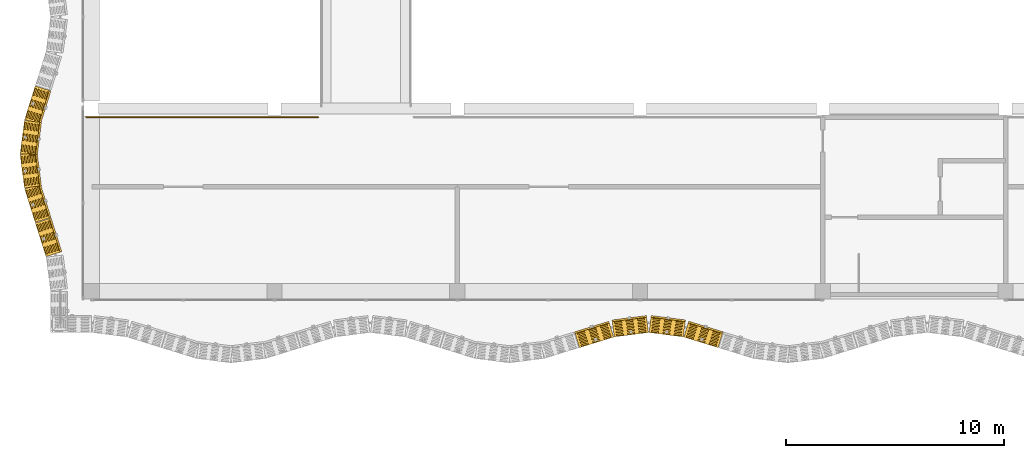
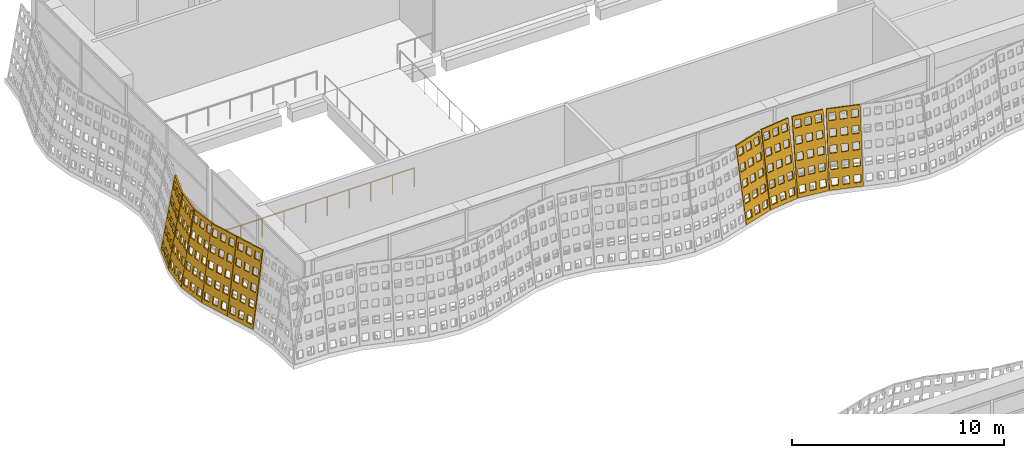
# One storey, part 131 of 162: 9 coverings, 1 railing.
"""IFC4 building model written with IfcOpenShell, lengths in metres."""

from ifc_helpers import new_model, si_unit, direction, frame, origin, origin_2d, place, context, subcontext, project, spatial, polyline, circle, outline, extrude, material, layer, layer_set, type_object, element, save


model = new_model("IFC4")

# Units and contexts
model_context = context("Model", 3, precision=1e-05, world=origin(), true_north=direction((0.0, 1.0)))
body_context = subcontext(model_context, "Body", "Model", "MODEL_VIEW")
ifc_project = project(units=[si_unit("LENGTHUNIT", "METRE"), si_unit("AREAUNIT", "SQUARE_METRE"), si_unit("VOLUMEUNIT", "CUBIC_METRE"), si_unit("PLANEANGLEUNIT", "RADIAN"), si_unit("MASSUNIT", "GRAM", prefix="KILO")], contexts=[model_context])

# Site, building, storey
site_placement = place(None, origin())
site = spatial("IfcSite", under=ifc_project, at=site_placement, CompositionType="ELEMENT")
building_placement = place(site_placement, origin())
building = spatial("IfcBuilding", under=site, at=building_placement, Name="Rain Tree Exposition and Congress Centre", CompositionType="ELEMENT")
storey_placement = place(building_placement, frame((0.0, 0.0, 6.0)))
storey = spatial("IfcBuildingStorey", under=building, at=storey_placement, Name="L01", CompositionType="ELEMENT", Elevation=6.0)

# Railing
ifc_material_1 = material(Name="Aluminium and glass balustrade", Category="aluminium")
railing_type = type_object("IfcRailingType", Name="Concourse guard 1100", PredefinedType="GUARDRAIL", material=ifc_material_1)
railing_placement = place(storey_placement, frame((-0.25, 83.60009765625, 0.0)))
element("IfcRailing", 1, at=railing_placement, inside=storey, type_object=railing_type, Name="Concourse promenade guard 1", PredefinedType="GUARDRAIL", context=body_context, shape_type="SweptSolid", body=[
    extrude(circle(Radius=0.02392578125, at=origin_2d()), frame((0.0, 0.0, 1.076171875), z_axis=(1.0, 0.0, 0.0), x_axis=(0.0, 1.0, 0.0)), (0.0, 0.0, 1.0), 10.64990234375),
    extrude(circle(Radius=0.02099609375, at=origin_2d()), origin(), (0.0, 0.0, 1.0), 1.052001953125),
    extrude(circle(Radius=0.02099609375, at=origin_2d()), frame((1.183349609375, 0.0, 0.0)), (0.0, 0.0, 1.0), 1.052001953125),
    extrude(circle(Radius=0.02099609375, at=origin_2d()), frame((2.36669921875, 0.0, 0.0)), (0.0, 0.0, 1.0), 1.052001953125),
    extrude(circle(Radius=0.02099609375, at=origin_2d()), frame((3.550048828125, 0.0, 0.0)), (0.0, 0.0, 1.0), 1.052001953125),
    extrude(circle(Radius=0.02099609375, at=origin_2d()), frame((4.7333984375, 0.0, 0.0)), (0.0, 0.0, 1.0), 1.052001953125),
    extrude(circle(Radius=0.02099609375, at=origin_2d()), frame((5.91650390625, 0.0, 0.0)), (0.0, 0.0, 1.0), 1.052001953125),
    extrude(circle(Radius=0.02099609375, at=origin_2d()), frame((7.099853515625, 0.0, 0.0)), (0.0, 0.0, 1.0), 1.052001953125),
    extrude(circle(Radius=0.02099609375, at=origin_2d()), frame((8.283203125, 0.0, 0.0)), (0.0, 0.0, 1.0), 1.052001953125),
    extrude(circle(Radius=0.02099609375, at=origin_2d()), frame((9.466552734375, 0.0, 0.0)), (0.0, 0.0, 1.0), 1.052001953125),
    extrude(circle(Radius=0.02099609375, at=origin_2d()), frame((10.64990234375, 0.0, 0.0)), (0.0, 0.0, 1.0), 1.052001953125),
])

# Coverings
ifc_material_2 = material(Name="Perforated terracotta", Category="masonry")
ifc_layer = layer(ifc_material_2, 0.080078125)
ifc_layer_set = layer_set([ifc_layer], Name="Perforated terracotta")
covering_type = type_object("IfcCoveringType", Name="Terracotta screen 80", PredefinedType="CLADDING", material=ifc_layer_set)
covering_1_placement = place(storey_placement, frame((22.3994140625, 73.001708984375, 0.0126953125), z_axis=(-0.290138898064, 0.943714942124, -0.158812870519), x_axis=(-0.955845867297, -0.293868470528, 0.0)))
element("IfcCovering", 2, at=covering_1_placement, inside=storey, type_object=covering_type, Name="concourse/screen/L01/015", PredefinedType="CLADDING", context=body_context, shape_type="SweptSolid", body=[
    extrude(outline(polyline([(-1.659912109375, 0.0), (-1.659912109375, 4.29150390625), (-0.014892578125, 4.29150390625), (-0.014892578125, 0.0), (-1.659912109375, 0.0)]), holes=[polyline([(-0.119140625, 0.221435546875), (-0.119140625, 0.63671875), (-0.458984375, 0.63671875), (-0.458984375, 0.221435546875), (-0.119140625, 0.221435546875)]), polyline([(-0.119140625, 1.079833984375), (-0.119140625, 1.4951171875), (-0.458984375, 1.4951171875), (-0.458984375, 1.079833984375), (-0.119140625, 1.079833984375)]), polyline([(-0.119140625, 1.93798828125), (-0.119140625, 2.353271484375), (-0.458984375, 2.353271484375), (-0.458984375, 1.93798828125), (-0.119140625, 1.93798828125)]), polyline([(-0.119140625, 2.79638671875), (-0.119140625, 3.211669921875), (-0.458984375, 3.211669921875), (-0.458984375, 2.79638671875), (-0.119140625, 2.79638671875)]), polyline([(-0.119140625, 3.654541015625), (-0.119140625, 4.06982421875), (-0.458984375, 4.06982421875), (-0.458984375, 3.654541015625), (-0.119140625, 3.654541015625)]), polyline([(-0.66748046875, 0.221435546875), (-0.66748046875, 0.63671875), (-1.00732421875, 0.63671875), (-1.00732421875, 0.221435546875), (-0.66748046875, 0.221435546875)]), polyline([(-0.66748046875, 1.079833984375), (-0.66748046875, 1.4951171875), (-1.00732421875, 1.4951171875), (-1.00732421875, 1.079833984375), (-0.66748046875, 1.079833984375)]), polyline([(-0.66748046875, 1.93798828125), (-0.66748046875, 2.353271484375), (-1.00732421875, 2.353271484375), (-1.00732421875, 1.93798828125), (-0.66748046875, 1.93798828125)]), polyline([(-0.66748046875, 2.79638671875), (-0.66748046875, 3.211669921875), (-1.00732421875, 3.211669921875), (-1.00732421875, 2.79638671875), (-0.66748046875, 2.79638671875)]), polyline([(-0.66748046875, 3.654541015625), (-0.66748046875, 4.06982421875), (-1.00732421875, 4.06982421875), (-1.00732421875, 3.654541015625), (-0.66748046875, 3.654541015625)]), polyline([(-1.2158203125, 0.221435546875), (-1.2158203125, 0.63671875), (-1.5556640625, 0.63671875), (-1.5556640625, 0.221435546875), (-1.2158203125, 0.221435546875)]), polyline([(-1.2158203125, 1.079833984375), (-1.2158203125, 1.4951171875), (-1.5556640625, 1.4951171875), (-1.5556640625, 1.079833984375), (-1.2158203125, 1.079833984375)]), polyline([(-1.2158203125, 1.93798828125), (-1.2158203125, 2.353271484375), (-1.5556640625, 2.353271484375), (-1.5556640625, 1.93798828125), (-1.2158203125, 1.93798828125)]), polyline([(-1.2158203125, 2.79638671875), (-1.2158203125, 3.211669921875), (-1.5556640625, 3.211669921875), (-1.5556640625, 2.79638671875), (-1.2158203125, 2.79638671875)]), polyline([(-1.2158203125, 3.654541015625), (-1.2158203125, 4.06982421875), (-1.5556640625, 4.06982421875), (-1.5556640625, 3.654541015625), (-1.2158203125, 3.654541015625)])]), origin(), (0.0, 0.0, 1.0), 0.079833984375),
])
covering_2_placement = place(storey_placement, frame((23.999755859375, 73.496826171875, 0.01318359375), z_axis=(-0.124968640969, 0.978413018317, -0.164592844203), x_axis=(-0.991941518713, -0.126696580272, 0.0)))
element("IfcCovering", 3, at=covering_2_placement, inside=storey, type_object=covering_type, Name="concourse/screen/L01/016", PredefinedType="CLADDING", context=body_context, shape_type="SweptSolid", body=[
    extrude(outline(polyline([(-1.59814453125, 0.0), (-1.59814453125, 4.295166015625), (-0.014892578125, 4.295166015625), (-0.014892578125, 0.0), (-1.59814453125, 0.0)]), holes=[polyline([(-0.115234375, 0.2216796875), (-0.115234375, 0.63720703125), (-0.4423828125, 0.63720703125), (-0.4423828125, 0.2216796875), (-0.115234375, 0.2216796875)]), polyline([(-0.115234375, 1.080810546875), (-0.115234375, 1.496337890625), (-0.4423828125, 1.496337890625), (-0.4423828125, 1.080810546875), (-0.115234375, 1.080810546875)]), polyline([(-0.115234375, 1.939697265625), (-0.115234375, 2.35546875), (-0.4423828125, 2.35546875), (-0.4423828125, 1.939697265625), (-0.115234375, 1.939697265625)]), polyline([(-0.115234375, 2.798583984375), (-0.115234375, 3.21435546875), (-0.4423828125, 3.21435546875), (-0.4423828125, 2.798583984375), (-0.115234375, 2.798583984375)]), polyline([(-0.115234375, 3.65771484375), (-0.115234375, 4.073486328125), (-0.4423828125, 4.073486328125), (-0.4423828125, 3.65771484375), (-0.115234375, 3.65771484375)]), polyline([(-0.64306640625, 0.2216796875), (-0.64306640625, 0.63720703125), (-0.97021484375, 0.63720703125), (-0.97021484375, 0.2216796875), (-0.64306640625, 0.2216796875)]), polyline([(-0.64306640625, 1.080810546875), (-0.64306640625, 1.496337890625), (-0.97021484375, 1.496337890625), (-0.97021484375, 1.080810546875), (-0.64306640625, 1.080810546875)]), polyline([(-0.64306640625, 1.939697265625), (-0.64306640625, 2.35546875), (-0.97021484375, 2.35546875), (-0.97021484375, 1.939697265625), (-0.64306640625, 1.939697265625)]), polyline([(-0.64306640625, 2.798583984375), (-0.64306640625, 3.21435546875), (-0.97021484375, 3.21435546875), (-0.97021484375, 2.798583984375), (-0.64306640625, 2.798583984375)]), polyline([(-0.64306640625, 3.65771484375), (-0.64306640625, 4.073486328125), (-0.97021484375, 4.073486328125), (-0.97021484375, 3.65771484375), (-0.64306640625, 3.65771484375)]), polyline([(-1.170654296875, 0.2216796875), (-1.170654296875, 0.63720703125), (-1.497802734375, 0.63720703125), (-1.497802734375, 0.2216796875), (-1.170654296875, 0.2216796875)]), polyline([(-1.170654296875, 1.080810546875), (-1.170654296875, 1.496337890625), (-1.497802734375, 1.496337890625), (-1.497802734375, 1.080810546875), (-1.170654296875, 1.080810546875)]), polyline([(-1.170654296875, 1.939697265625), (-1.170654296875, 2.35546875), (-1.497802734375, 2.35546875), (-1.497802734375, 1.939697265625), (-1.170654296875, 1.939697265625)]), polyline([(-1.170654296875, 2.798583984375), (-1.170654296875, 3.21435546875), (-1.497802734375, 3.21435546875), (-1.497802734375, 2.798583984375), (-1.170654296875, 2.798583984375)]), polyline([(-1.170654296875, 3.65771484375), (-1.170654296875, 4.073486328125), (-1.497802734375, 4.073486328125), (-1.497802734375, 3.65771484375), (-1.170654296875, 3.65771484375)])]), origin(), (0.0, 0.0, 1.0), 0.080078125),
])
covering_3_placement = place(storey_placement, frame((25.600341796875, 73.701904296875, 0.01318359375), z_axis=(0.125342414455, 0.978282259159, -0.165085131233), x_axis=(-0.991891686382, 0.127086122318, 0.0)))
element("IfcCovering", 4, at=covering_3_placement, inside=storey, type_object=covering_type, Name="concourse/screen/L01/017", PredefinedType="CLADDING", context=body_context, shape_type="SweptSolid", body=[
    extrude(outline(polyline([(-1.59814453125, 0.0), (-1.59814453125, 4.295166015625), (-0.014892578125, 4.295166015625), (-0.014892578125, 0.0), (-1.59814453125, 0.0)]), holes=[polyline([(-0.115234375, 0.2216796875), (-0.115234375, 0.63720703125), (-0.4423828125, 0.63720703125), (-0.4423828125, 0.2216796875), (-0.115234375, 0.2216796875)]), polyline([(-0.115234375, 1.080810546875), (-0.115234375, 1.496337890625), (-0.4423828125, 1.496337890625), (-0.4423828125, 1.080810546875), (-0.115234375, 1.080810546875)]), polyline([(-0.115234375, 1.939697265625), (-0.115234375, 2.35546875), (-0.4423828125, 2.35546875), (-0.4423828125, 1.939697265625), (-0.115234375, 1.939697265625)]), polyline([(-0.115234375, 2.798583984375), (-0.115234375, 3.21435546875), (-0.4423828125, 3.21435546875), (-0.4423828125, 2.798583984375), (-0.115234375, 2.798583984375)]), polyline([(-0.115234375, 3.65771484375), (-0.115234375, 4.073486328125), (-0.4423828125, 4.073486328125), (-0.4423828125, 3.65771484375), (-0.115234375, 3.65771484375)]), polyline([(-0.64306640625, 0.2216796875), (-0.64306640625, 0.63720703125), (-0.97021484375, 0.63720703125), (-0.97021484375, 0.2216796875), (-0.64306640625, 0.2216796875)]), polyline([(-0.64306640625, 1.080810546875), (-0.64306640625, 1.496337890625), (-0.97021484375, 1.496337890625), (-0.97021484375, 1.080810546875), (-0.64306640625, 1.080810546875)]), polyline([(-0.64306640625, 1.939697265625), (-0.64306640625, 2.35546875), (-0.97021484375, 2.35546875), (-0.97021484375, 1.939697265625), (-0.64306640625, 1.939697265625)]), polyline([(-0.64306640625, 2.798583984375), (-0.64306640625, 3.21435546875), (-0.97021484375, 3.21435546875), (-0.97021484375, 2.798583984375), (-0.64306640625, 2.798583984375)]), polyline([(-0.64306640625, 3.65771484375), (-0.64306640625, 4.073486328125), (-0.97021484375, 4.073486328125), (-0.97021484375, 3.65771484375), (-0.64306640625, 3.65771484375)]), polyline([(-1.170654296875, 0.2216796875), (-1.170654296875, 0.63720703125), (-1.497802734375, 0.63720703125), (-1.497802734375, 0.2216796875), (-1.170654296875, 0.2216796875)]), polyline([(-1.170654296875, 1.080810546875), (-1.170654296875, 1.496337890625), (-1.497802734375, 1.496337890625), (-1.497802734375, 1.080810546875), (-1.170654296875, 1.080810546875)]), polyline([(-1.170654296875, 1.939697265625), (-1.170654296875, 2.35546875), (-1.497802734375, 2.35546875), (-1.497802734375, 1.939697265625), (-1.170654296875, 1.939697265625)]), polyline([(-1.170654296875, 2.798583984375), (-1.170654296875, 3.21435546875), (-1.497802734375, 3.21435546875), (-1.497802734375, 2.798583984375), (-1.170654296875, 2.798583984375)]), polyline([(-1.170654296875, 3.65771484375), (-1.170654296875, 4.073486328125), (-1.497802734375, 4.073486328125), (-1.497802734375, 3.65771484375), (-1.170654296875, 3.65771484375)])]), origin(), (0.0, 0.0, 1.0), 0.079833984375),
])
covering_4_placement = place(storey_placement, frame((27.20068359375, 73.49658203125, 0.0126953125), z_axis=(0.290138898064, 0.943714942124, -0.158812870519), x_axis=(-0.955845867297, 0.293868470528, 0.0)))
element("IfcCovering", 5, at=covering_4_placement, inside=storey, type_object=covering_type, Name="concourse/screen/L01/018", PredefinedType="CLADDING", context=body_context, shape_type="SweptSolid", body=[
    extrude(outline(polyline([(-1.659912109375, 0.0), (-1.659912109375, 4.29150390625), (-0.014892578125, 4.29150390625), (-0.014892578125, 0.0), (-1.659912109375, 0.0)]), holes=[polyline([(-0.119140625, 0.221435546875), (-0.119140625, 0.63671875), (-0.458984375, 0.63671875), (-0.458984375, 0.221435546875), (-0.119140625, 0.221435546875)]), polyline([(-0.119140625, 1.079833984375), (-0.119140625, 1.4951171875), (-0.458984375, 1.4951171875), (-0.458984375, 1.079833984375), (-0.119140625, 1.079833984375)]), polyline([(-0.119140625, 1.93798828125), (-0.119140625, 2.353271484375), (-0.458984375, 2.353271484375), (-0.458984375, 1.93798828125), (-0.119140625, 1.93798828125)]), polyline([(-0.119140625, 2.79638671875), (-0.119140625, 3.211669921875), (-0.458984375, 3.211669921875), (-0.458984375, 2.79638671875), (-0.119140625, 2.79638671875)]), polyline([(-0.119140625, 3.654541015625), (-0.119140625, 4.06982421875), (-0.458984375, 4.06982421875), (-0.458984375, 3.654541015625), (-0.119140625, 3.654541015625)]), polyline([(-0.66748046875, 0.221435546875), (-0.66748046875, 0.63671875), (-1.00732421875, 0.63671875), (-1.00732421875, 0.221435546875), (-0.66748046875, 0.221435546875)]), polyline([(-0.66748046875, 1.079833984375), (-0.66748046875, 1.4951171875), (-1.00732421875, 1.4951171875), (-1.00732421875, 1.079833984375), (-0.66748046875, 1.079833984375)]), polyline([(-0.66748046875, 1.93798828125), (-0.66748046875, 2.353271484375), (-1.00732421875, 2.353271484375), (-1.00732421875, 1.93798828125), (-0.66748046875, 1.93798828125)]), polyline([(-0.66748046875, 2.79638671875), (-0.66748046875, 3.211669921875), (-1.00732421875, 3.211669921875), (-1.00732421875, 2.79638671875), (-0.66748046875, 2.79638671875)]), polyline([(-0.66748046875, 3.654541015625), (-0.66748046875, 4.06982421875), (-1.00732421875, 4.06982421875), (-1.00732421875, 3.654541015625), (-0.66748046875, 3.654541015625)]), polyline([(-1.2158203125, 0.221435546875), (-1.2158203125, 0.63671875), (-1.5556640625, 0.63671875), (-1.5556640625, 0.221435546875), (-1.2158203125, 0.221435546875)]), polyline([(-1.2158203125, 1.079833984375), (-1.2158203125, 1.4951171875), (-1.5556640625, 1.4951171875), (-1.5556640625, 1.079833984375), (-1.2158203125, 1.079833984375)]), polyline([(-1.2158203125, 1.93798828125), (-1.2158203125, 2.353271484375), (-1.5556640625, 2.353271484375), (-1.5556640625, 1.93798828125), (-1.2158203125, 1.93798828125)]), polyline([(-1.2158203125, 2.79638671875), (-1.2158203125, 3.211669921875), (-1.5556640625, 3.211669921875), (-1.5556640625, 2.79638671875), (-1.2158203125, 2.79638671875)]), polyline([(-1.2158203125, 3.654541015625), (-1.2158203125, 4.06982421875), (-1.5556640625, 4.06982421875), (-1.5556640625, 3.654541015625), (-1.2158203125, 3.654541015625)])]), origin(), (0.0, 0.0, 1.0), 0.079833984375),
])
covering_5_placement = place(storey_placement, frame((-2.598388671875, 85.04931640625, 0.0126953125), z_axis=(0.942029390639, -0.295717964052, -0.158529217842), x_axis=(0.29950542383, 0.954094597562, 0.0)))
element("IfcCovering", 6, at=covering_5_placement, inside=storey, type_object=covering_type, Name="concourse/screen/L01/202", PredefinedType="CLADDING", context=body_context, shape_type="SweptSolid", body=[
    extrude(outline(polyline([(-1.62890625, 0.0), (-1.62890625, 4.291259765625), (-0.014892578125, 4.291259765625), (-0.014892578125, 0.0), (-1.62890625, 0.0)]), holes=[polyline([(-0.1171875, 0.221435546875), (-0.1171875, 0.63671875), (-0.45068359375, 0.63671875), (-0.45068359375, 0.221435546875), (-0.1171875, 0.221435546875)]), polyline([(-0.1171875, 1.07958984375), (-0.1171875, 1.4951171875), (-0.45068359375, 1.4951171875), (-0.45068359375, 1.07958984375), (-0.1171875, 1.07958984375)]), polyline([(-0.1171875, 1.93798828125), (-0.1171875, 2.353271484375), (-0.45068359375, 2.353271484375), (-0.45068359375, 1.93798828125), (-0.1171875, 1.93798828125)]), polyline([(-0.1171875, 2.796142578125), (-0.1171875, 3.21142578125), (-0.45068359375, 3.21142578125), (-0.45068359375, 2.796142578125), (-0.1171875, 2.796142578125)]), polyline([(-0.1171875, 3.654541015625), (-0.1171875, 4.06982421875), (-0.45068359375, 4.06982421875), (-0.45068359375, 3.654541015625), (-0.1171875, 3.654541015625)]), polyline([(-0.6552734375, 0.221435546875), (-0.6552734375, 0.63671875), (-0.98876953125, 0.63671875), (-0.98876953125, 0.221435546875), (-0.6552734375, 0.221435546875)]), polyline([(-0.6552734375, 1.07958984375), (-0.6552734375, 1.4951171875), (-0.98876953125, 1.4951171875), (-0.98876953125, 1.07958984375), (-0.6552734375, 1.07958984375)]), polyline([(-0.6552734375, 1.93798828125), (-0.6552734375, 2.353271484375), (-0.98876953125, 2.353271484375), (-0.98876953125, 1.93798828125), (-0.6552734375, 1.93798828125)]), polyline([(-0.6552734375, 2.796142578125), (-0.6552734375, 3.21142578125), (-0.98876953125, 3.21142578125), (-0.98876953125, 2.796142578125), (-0.6552734375, 2.796142578125)]), polyline([(-0.6552734375, 3.654541015625), (-0.6552734375, 4.06982421875), (-0.98876953125, 4.06982421875), (-0.98876953125, 3.654541015625), (-0.6552734375, 3.654541015625)]), polyline([(-1.193115234375, 0.221435546875), (-1.193115234375, 0.63671875), (-1.526611328125, 0.63671875), (-1.526611328125, 0.221435546875), (-1.193115234375, 0.221435546875)]), polyline([(-1.193115234375, 1.07958984375), (-1.193115234375, 1.4951171875), (-1.526611328125, 1.4951171875), (-1.526611328125, 1.07958984375), (-1.193115234375, 1.07958984375)]), polyline([(-1.193115234375, 1.93798828125), (-1.193115234375, 2.353271484375), (-1.526611328125, 2.353271484375), (-1.526611328125, 1.93798828125), (-1.193115234375, 1.93798828125)]), polyline([(-1.193115234375, 2.796142578125), (-1.193115234375, 3.21142578125), (-1.526611328125, 3.21142578125), (-1.526611328125, 2.796142578125), (-1.193115234375, 2.796142578125)]), polyline([(-1.193115234375, 3.654541015625), (-1.193115234375, 4.06982421875), (-1.526611328125, 4.06982421875), (-1.526611328125, 3.654541015625), (-1.193115234375, 3.654541015625)])]), origin(), (0.0, 0.0, 1.0), 0.080078125),
])
covering_6_placement = place(storey_placement, frame((-3.093017578125, 83.474609375, 0.01318359375), z_axis=(0.978282259159, -0.125342414455, -0.165085131233), x_axis=(0.127086122318, 0.991891686382, 0.0)))
element("IfcCovering", 7, at=covering_6_placement, inside=storey, type_object=covering_type, Name="concourse/screen/L01/203", PredefinedType="CLADDING", context=body_context, shape_type="SweptSolid", body=[
    extrude(outline(polyline([(-1.56298828125, 0.0), (-1.56298828125, 4.295166015625), (-0.02197265625, 4.295166015625), (-0.02197265625, 0.0), (-1.56298828125, 0.0)]), holes=[polyline([(-0.11962890625, 0.2216796875), (-0.11962890625, 0.63720703125), (-0.43798828125, 0.63720703125), (-0.43798828125, 0.2216796875), (-0.11962890625, 0.2216796875)]), polyline([(-0.11962890625, 1.080810546875), (-0.11962890625, 1.496337890625), (-0.43798828125, 1.496337890625), (-0.43798828125, 1.080810546875), (-0.11962890625, 1.080810546875)]), polyline([(-0.11962890625, 1.939697265625), (-0.11962890625, 2.35546875), (-0.43798828125, 2.35546875), (-0.43798828125, 1.939697265625), (-0.11962890625, 1.939697265625)]), polyline([(-0.11962890625, 2.798583984375), (-0.11962890625, 3.21435546875), (-0.43798828125, 3.21435546875), (-0.43798828125, 2.798583984375), (-0.11962890625, 2.798583984375)]), polyline([(-0.11962890625, 3.65771484375), (-0.11962890625, 4.073486328125), (-0.43798828125, 4.073486328125), (-0.43798828125, 3.65771484375), (-0.11962890625, 3.65771484375)]), polyline([(-0.63330078125, 0.2216796875), (-0.63330078125, 0.63720703125), (-0.95166015625, 0.63720703125), (-0.95166015625, 0.2216796875), (-0.63330078125, 0.2216796875)]), polyline([(-0.63330078125, 1.080810546875), (-0.63330078125, 1.496337890625), (-0.95166015625, 1.496337890625), (-0.95166015625, 1.080810546875), (-0.63330078125, 1.080810546875)]), polyline([(-0.63330078125, 1.939697265625), (-0.63330078125, 2.35546875), (-0.95166015625, 2.35546875), (-0.95166015625, 1.939697265625), (-0.63330078125, 1.939697265625)]), polyline([(-0.63330078125, 2.798583984375), (-0.63330078125, 3.21435546875), (-0.95166015625, 3.21435546875), (-0.95166015625, 2.798583984375), (-0.63330078125, 2.798583984375)]), polyline([(-0.63330078125, 3.65771484375), (-0.63330078125, 4.073486328125), (-0.95166015625, 4.073486328125), (-0.95166015625, 3.65771484375), (-0.63330078125, 3.65771484375)]), polyline([(-1.146728515625, 0.2216796875), (-1.146728515625, 0.63720703125), (-1.46533203125, 0.63720703125), (-1.46533203125, 0.2216796875), (-1.146728515625, 0.2216796875)]), polyline([(-1.146728515625, 1.080810546875), (-1.146728515625, 1.496337890625), (-1.46533203125, 1.496337890625), (-1.46533203125, 1.080810546875), (-1.146728515625, 1.080810546875)]), polyline([(-1.146728515625, 1.939697265625), (-1.146728515625, 2.35546875), (-1.46533203125, 2.35546875), (-1.46533203125, 1.939697265625), (-1.146728515625, 1.939697265625)]), polyline([(-1.146728515625, 2.798583984375), (-1.146728515625, 3.21435546875), (-1.46533203125, 3.21435546875), (-1.46533203125, 2.798583984375), (-1.146728515625, 2.798583984375)]), polyline([(-1.146728515625, 3.65771484375), (-1.146728515625, 4.073486328125), (-1.46533203125, 4.073486328125), (-1.46533203125, 3.65771484375), (-1.146728515625, 3.65771484375)])]), origin(), (0.0, 0.0, 1.0), 0.079833984375),
])
covering_7_placement = place(storey_placement, frame((-3.298095703125, 81.900390625, 0.01318359375), z_axis=(0.978282259159, 0.125342414455, -0.165085131233), x_axis=(-0.127086122318, 0.991891686382, 0.0)))
element("IfcCovering", 8, at=covering_7_placement, inside=storey, type_object=covering_type, Name="concourse/screen/L01/204", PredefinedType="CLADDING", context=body_context, shape_type="SweptSolid", body=[
    extrude(outline(polyline([(-1.56640625, 0.0), (-1.56640625, 4.295166015625), (-0.025390625, 4.295166015625), (-0.025390625, 0.0), (-1.56640625, 0.0)]), holes=[polyline([(-0.123046875, 0.2216796875), (-0.123046875, 0.63720703125), (-0.44140625, 0.63720703125), (-0.44140625, 0.2216796875), (-0.123046875, 0.2216796875)]), polyline([(-0.123046875, 1.080810546875), (-0.123046875, 1.496337890625), (-0.44140625, 1.496337890625), (-0.44140625, 1.080810546875), (-0.123046875, 1.080810546875)]), polyline([(-0.123046875, 1.939697265625), (-0.123046875, 2.35546875), (-0.44140625, 2.35546875), (-0.44140625, 1.939697265625), (-0.123046875, 1.939697265625)]), polyline([(-0.123046875, 2.798583984375), (-0.123046875, 3.21435546875), (-0.44140625, 3.21435546875), (-0.44140625, 2.798583984375), (-0.123046875, 2.798583984375)]), polyline([(-0.123046875, 3.65771484375), (-0.123046875, 4.073486328125), (-0.44140625, 4.073486328125), (-0.44140625, 3.65771484375), (-0.123046875, 3.65771484375)]), polyline([(-0.63671875, 0.2216796875), (-0.63671875, 0.63720703125), (-0.955078125, 0.63720703125), (-0.955078125, 0.2216796875), (-0.63671875, 0.2216796875)]), polyline([(-0.63671875, 1.080810546875), (-0.63671875, 1.496337890625), (-0.955078125, 1.496337890625), (-0.955078125, 1.080810546875), (-0.63671875, 1.080810546875)]), polyline([(-0.63671875, 1.939697265625), (-0.63671875, 2.35546875), (-0.955078125, 2.35546875), (-0.955078125, 1.939697265625), (-0.63671875, 1.939697265625)]), polyline([(-0.63671875, 2.798583984375), (-0.63671875, 3.21435546875), (-0.955078125, 3.21435546875), (-0.955078125, 2.798583984375), (-0.63671875, 2.798583984375)]), polyline([(-0.63671875, 3.65771484375), (-0.63671875, 4.073486328125), (-0.955078125, 4.073486328125), (-0.955078125, 3.65771484375), (-0.63671875, 3.65771484375)]), polyline([(-1.150146484375, 0.2216796875), (-1.150146484375, 0.63720703125), (-1.46875, 0.63720703125), (-1.46875, 0.2216796875), (-1.150146484375, 0.2216796875)]), polyline([(-1.150146484375, 1.080810546875), (-1.150146484375, 1.496337890625), (-1.46875, 1.496337890625), (-1.46875, 1.080810546875), (-1.150146484375, 1.080810546875)]), polyline([(-1.150146484375, 1.939697265625), (-1.150146484375, 2.35546875), (-1.46875, 2.35546875), (-1.46875, 1.939697265625), (-1.150146484375, 1.939697265625)]), polyline([(-1.150146484375, 2.798583984375), (-1.150146484375, 3.21435546875), (-1.46875, 3.21435546875), (-1.46875, 2.798583984375), (-1.150146484375, 2.798583984375)]), polyline([(-1.150146484375, 3.65771484375), (-1.150146484375, 4.073486328125), (-1.46875, 4.073486328125), (-1.46875, 3.65771484375), (-1.150146484375, 3.65771484375)])]), origin(), (0.0, 0.0, 1.0), 0.079833984375),
])
covering_8_placement = place(storey_placement, frame((-3.093505859375, 80.32568359375, 0.0126953125), z_axis=(0.942029390639, 0.295717964052, -0.158529217842), x_axis=(-0.29950542383, 0.954094597562, 0.0)))
element("IfcCovering", 9, at=covering_8_placement, inside=storey, type_object=covering_type, Name="concourse/screen/L01/205", PredefinedType="CLADDING", context=body_context, shape_type="SweptSolid", body=[
    extrude(outline(polyline([(-1.635986328125, 0.0), (-1.635986328125, 4.291259765625), (-0.02197265625, 4.291259765625), (-0.02197265625, 0.0), (-1.635986328125, 0.0)]), holes=[polyline([(-0.124267578125, 0.221435546875), (-0.124267578125, 0.63671875), (-0.457763671875, 0.63671875), (-0.457763671875, 0.221435546875), (-0.124267578125, 0.221435546875)]), polyline([(-0.124267578125, 1.07958984375), (-0.124267578125, 1.4951171875), (-0.457763671875, 1.4951171875), (-0.457763671875, 1.07958984375), (-0.124267578125, 1.07958984375)]), polyline([(-0.124267578125, 1.93798828125), (-0.124267578125, 2.353271484375), (-0.457763671875, 2.353271484375), (-0.457763671875, 1.93798828125), (-0.124267578125, 1.93798828125)]), polyline([(-0.124267578125, 2.796142578125), (-0.124267578125, 3.21142578125), (-0.457763671875, 3.21142578125), (-0.457763671875, 2.796142578125), (-0.124267578125, 2.796142578125)]), polyline([(-0.124267578125, 3.654541015625), (-0.124267578125, 4.06982421875), (-0.457763671875, 4.06982421875), (-0.457763671875, 3.654541015625), (-0.124267578125, 3.654541015625)]), polyline([(-0.662109375, 0.221435546875), (-0.662109375, 0.63671875), (-0.995849609375, 0.63671875), (-0.995849609375, 0.221435546875), (-0.662109375, 0.221435546875)]), polyline([(-0.662109375, 1.07958984375), (-0.662109375, 1.4951171875), (-0.995849609375, 1.4951171875), (-0.995849609375, 1.07958984375), (-0.662109375, 1.07958984375)]), polyline([(-0.662109375, 1.93798828125), (-0.662109375, 2.353271484375), (-0.995849609375, 2.353271484375), (-0.995849609375, 1.93798828125), (-0.662109375, 1.93798828125)]), polyline([(-0.662109375, 2.796142578125), (-0.662109375, 3.21142578125), (-0.995849609375, 3.21142578125), (-0.995849609375, 2.796142578125), (-0.662109375, 2.796142578125)]), polyline([(-0.662109375, 3.654541015625), (-0.662109375, 4.06982421875), (-0.995849609375, 4.06982421875), (-0.995849609375, 3.654541015625), (-0.662109375, 3.654541015625)]), polyline([(-1.2001953125, 0.221435546875), (-1.2001953125, 0.63671875), (-1.53369140625, 0.63671875), (-1.53369140625, 0.221435546875), (-1.2001953125, 0.221435546875)]), polyline([(-1.2001953125, 1.07958984375), (-1.2001953125, 1.4951171875), (-1.53369140625, 1.4951171875), (-1.53369140625, 1.07958984375), (-1.2001953125, 1.07958984375)]), polyline([(-1.2001953125, 1.93798828125), (-1.2001953125, 2.353271484375), (-1.53369140625, 2.353271484375), (-1.53369140625, 1.93798828125), (-1.2001953125, 1.93798828125)]), polyline([(-1.2001953125, 2.796142578125), (-1.2001953125, 3.21142578125), (-1.53369140625, 3.21142578125), (-1.53369140625, 2.796142578125), (-1.2001953125, 2.796142578125)]), polyline([(-1.2001953125, 3.654541015625), (-1.2001953125, 4.06982421875), (-1.53369140625, 4.06982421875), (-1.53369140625, 3.654541015625), (-1.2001953125, 3.654541015625)])]), origin(), (0.0, 0.0, 1.0), 0.080078125),
])
covering_9_placement = place(storey_placement, frame((-2.598388671875, 78.75048828125, 0.0126953125), z_axis=(0.941176896939, 0.298496232686, -0.158385756119), x_axis=(-0.302312226207, 0.953208958144, 0.0)))
element("IfcCovering", 10, at=covering_9_placement, inside=storey, type_object=covering_type, Name="concourse/screen/L01/206", PredefinedType="CLADDING", context=body_context, shape_type="SweptSolid", body=[
    extrude(outline(polyline([(-1.635986328125, 0.0), (-1.635986328125, 4.291259765625), (-0.014892578125, 4.291259765625), (-0.014892578125, 0.0), (-1.635986328125, 0.0)]), holes=[polyline([(-0.11767578125, 0.221435546875), (-0.11767578125, 0.63671875), (-0.45263671875, 0.63671875), (-0.45263671875, 0.221435546875), (-0.11767578125, 0.221435546875)]), polyline([(-0.11767578125, 1.07958984375), (-0.11767578125, 1.4951171875), (-0.45263671875, 1.4951171875), (-0.45263671875, 1.07958984375), (-0.11767578125, 1.07958984375)]), polyline([(-0.11767578125, 1.93798828125), (-0.11767578125, 2.353271484375), (-0.45263671875, 2.353271484375), (-0.45263671875, 1.93798828125), (-0.11767578125, 1.93798828125)]), polyline([(-0.11767578125, 2.796142578125), (-0.11767578125, 3.21142578125), (-0.45263671875, 3.21142578125), (-0.45263671875, 2.796142578125), (-0.11767578125, 2.796142578125)]), polyline([(-0.11767578125, 3.654541015625), (-0.11767578125, 4.06982421875), (-0.45263671875, 4.06982421875), (-0.45263671875, 3.654541015625), (-0.11767578125, 3.654541015625)]), polyline([(-0.657958984375, 0.221435546875), (-0.657958984375, 0.63671875), (-0.992919921875, 0.63671875), (-0.992919921875, 0.221435546875), (-0.657958984375, 0.221435546875)]), polyline([(-0.657958984375, 1.07958984375), (-0.657958984375, 1.4951171875), (-0.992919921875, 1.4951171875), (-0.992919921875, 1.07958984375), (-0.657958984375, 1.07958984375)]), polyline([(-0.657958984375, 1.93798828125), (-0.657958984375, 2.353271484375), (-0.992919921875, 2.353271484375), (-0.992919921875, 1.93798828125), (-0.657958984375, 1.93798828125)]), polyline([(-0.657958984375, 2.796142578125), (-0.657958984375, 3.21142578125), (-0.992919921875, 3.21142578125), (-0.992919921875, 2.796142578125), (-0.657958984375, 2.796142578125)]), polyline([(-0.657958984375, 3.654541015625), (-0.657958984375, 4.06982421875), (-0.992919921875, 4.06982421875), (-0.992919921875, 3.654541015625), (-0.657958984375, 3.654541015625)]), polyline([(-1.1982421875, 0.221435546875), (-1.1982421875, 0.63671875), (-1.533203125, 0.63671875), (-1.533203125, 0.221435546875), (-1.1982421875, 0.221435546875)]), polyline([(-1.1982421875, 1.07958984375), (-1.1982421875, 1.4951171875), (-1.533203125, 1.4951171875), (-1.533203125, 1.07958984375), (-1.1982421875, 1.07958984375)]), polyline([(-1.1982421875, 1.93798828125), (-1.1982421875, 2.353271484375), (-1.533203125, 2.353271484375), (-1.533203125, 1.93798828125), (-1.1982421875, 1.93798828125)]), polyline([(-1.1982421875, 2.796142578125), (-1.1982421875, 3.21142578125), (-1.533203125, 3.21142578125), (-1.533203125, 2.796142578125), (-1.1982421875, 2.796142578125)]), polyline([(-1.1982421875, 3.654541015625), (-1.1982421875, 4.06982421875), (-1.533203125, 4.06982421875), (-1.533203125, 3.654541015625), (-1.1982421875, 3.654541015625)])]), origin(), (0.0, 0.0, 1.0), 0.080078125),
])

save(model, "model.ifc")
